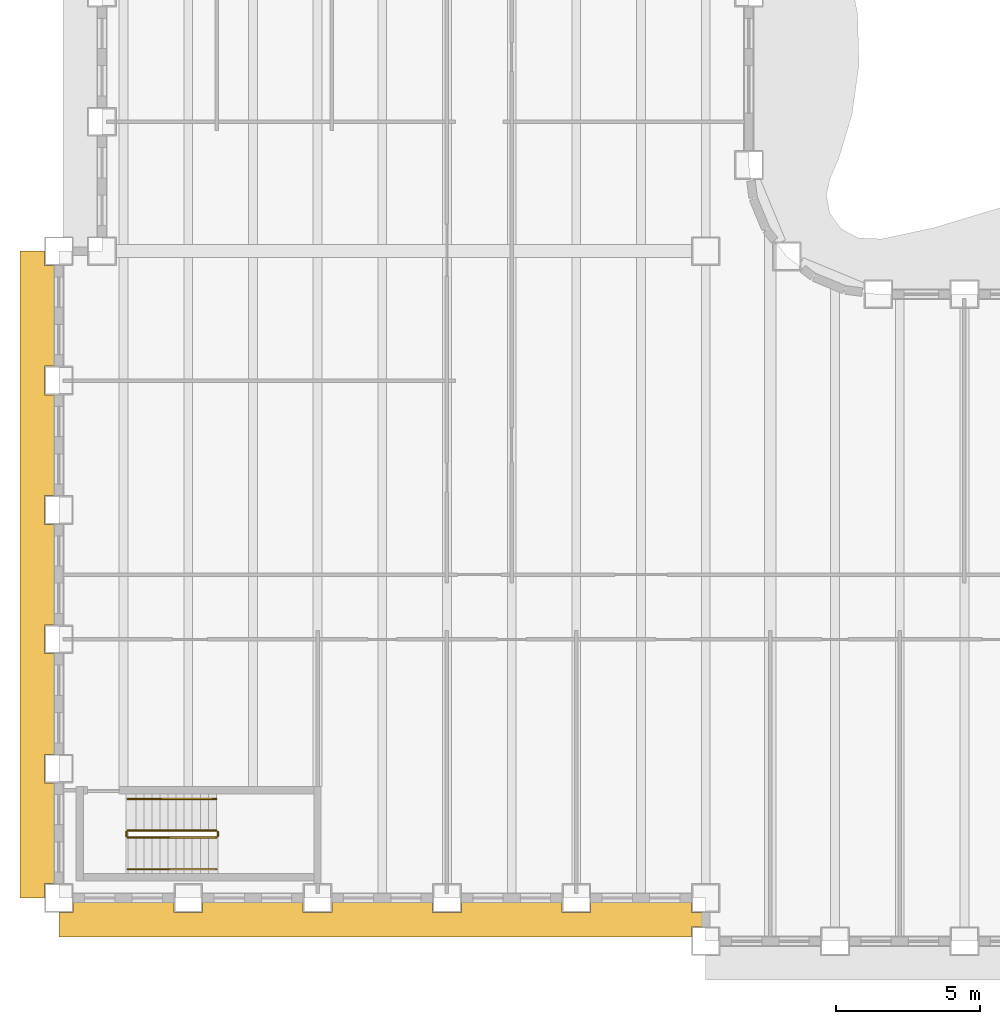
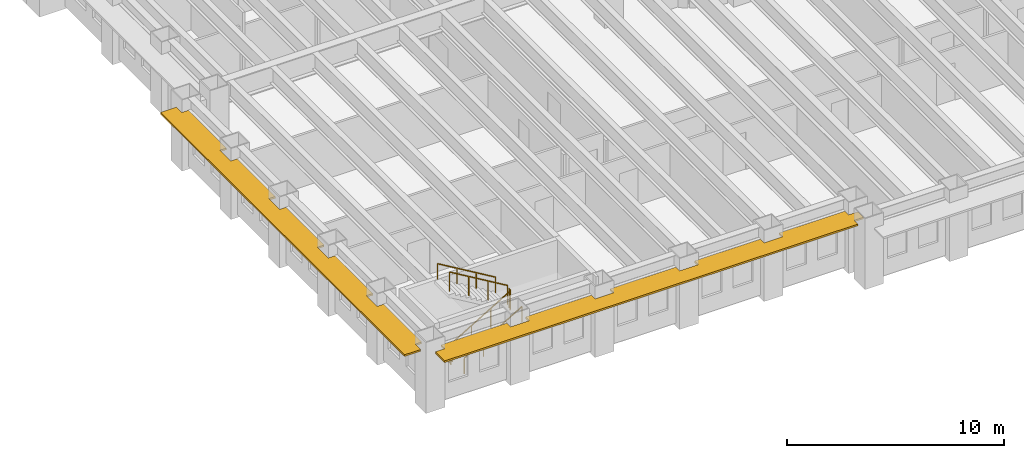
# One storey, part 11 of 16: 6 railings, 2 shading devices.
"""IFC4 building model written with IfcOpenShell, lengths in metres."""

from ifc_helpers import new_model, si_unit, direction, frame, origin, origin_2d, place, context, subcontext, project, spatial, polyline, rectangle, outline, extrude, material, layer, layer_set, type_object, element, save


model = new_model("IFC4")

# Units and contexts
model_context = context("Model", 3, precision=1e-05, world=origin(), true_north=direction((0.0, 1.0)))
body_context = subcontext(model_context, "Body", "Model", "MODEL_VIEW")
ifc_project = project(units=[si_unit("LENGTHUNIT", "METRE"), si_unit("AREAUNIT", "SQUARE_METRE"), si_unit("VOLUMEUNIT", "CUBIC_METRE"), si_unit("PLANEANGLEUNIT", "RADIAN"), si_unit("MASSUNIT", "GRAM", prefix="KILO")], contexts=[model_context])

# Site, building, storey
site_placement = place(None, origin())
site = spatial("IfcSite", under=ifc_project, at=site_placement, CompositionType="ELEMENT")
building_placement = place(site_placement, origin())
building = spatial("IfcBuilding", under=site, at=building_placement, Name="Sennacour Bend Tower", CompositionType="ELEMENT")
storey_placement = place(building_placement, frame((0.0, 0.0, 119.0)))
storey = spatial("IfcBuildingStorey", under=building, at=storey_placement, Name="L27", CompositionType="ELEMENT", Elevation=119.0)

# Railings
ifc_material_1 = material(Name="Stainless steel", Category="steel")
railing_type_1 = type_object("IfcRailingType", Name="RL-GUARD-1100", PredefinedType="GUARDRAIL", material=ifc_material_1)
railing_1_placement = place(storey_placement, frame((2.39990234375, 2.10009765625, 0.166748046875)))
element("IfcRailing", 1, at=railing_1_placement, inside=storey, type_object=railing_type_1, Name="L27 SK1 stair guard 1", PredefinedType="GUARDRAIL", context=body_context, shape_type="SweptSolid", body=[
    extrude(rectangle(XDim=0.048095703125, YDim=0.048095703125, at=origin_2d()), frame((0.0, 0.0, 1.076171875), z_axis=(0.859308565015, 0.0, 0.511457515432), x_axis=(0.0, 1.0, 0.0)), (0.0, 0.0, 1.0), 3.58447265625),
    extrude(rectangle(XDim=0.0419921875, YDim=0.0419921875, at=origin_2d()), origin(), (0.0, 0.0, 1.0), 1.052001953125),
    extrude(rectangle(XDim=0.0419921875, YDim=0.0419921875, at=origin_2d()), frame((1.026611328125, 0.0, 0.611083984375)), (0.0, 0.0, 1.0), 1.052001953125),
    extrude(rectangle(XDim=0.0419921875, YDim=0.0419921875, at=origin_2d()), frame((2.053466796875, 0.0, 1.22216796875)), (0.0, 0.0, 1.0), 1.052001953125),
    extrude(rectangle(XDim=0.0419921875, YDim=0.0419921875, at=origin_2d()), frame((3.080078125, 0.0, 1.833251953125)), (0.0, 0.0, 1.0), 1.052001953125),
])
railing_2_placement = place(storey_placement, frame((5.530029296875, 2.14990234375, 2.0)))
element("IfcRailing", 2, at=railing_2_placement, inside=storey, type_object=railing_type_1, Name="L27 SK1 stair guard 2", PredefinedType="GUARDRAIL", context=body_context, shape_type="SweptSolid", body=[
    extrude(rectangle(XDim=0.048095703125, YDim=0.048095703125, at=origin_2d()), frame((0.0, 0.0, 1.076171875), z_axis=(0.0, 1.0, 0.0), x_axis=(-1.0, 0.0, 0.0)), (0.0, 0.0, 1.0), 0.150146484375),
    extrude(rectangle(XDim=0.0419921875, YDim=0.0419921875, at=origin_2d()), origin(), (0.0, 0.0, 1.0), 1.052001953125),
    extrude(rectangle(XDim=0.0419921875, YDim=0.0419921875, at=origin_2d()), frame((0.0, 0.150146484375, 0.0)), (0.0, 0.0, 1.0), 1.052001953125),
])
railing_3_placement = place(storey_placement, frame((5.47998046875, 2.35009765625, 2.166748046875)))
element("IfcRailing", 3, at=railing_3_placement, inside=storey, type_object=railing_type_1, Name="L27 SK1 stair guard 3", PredefinedType="GUARDRAIL", context=body_context, shape_type="SweptSolid", body=[
    extrude(rectangle(XDim=0.048095703125, YDim=0.048095703125, at=origin_2d()), frame((0.0, 0.0, 1.076171875), z_axis=(-0.859308565015, 0.0, 0.511457515432), x_axis=(0.0, -1.0, 0.0)), (0.0, 0.0, 1.0), 3.58447265625),
    extrude(rectangle(XDim=0.0419921875, YDim=0.0419921875, at=origin_2d()), origin(), (0.0, 0.0, 1.0), 1.052001953125),
    extrude(rectangle(XDim=0.0419921875, YDim=0.0419921875, at=origin_2d()), frame((-1.026611328125, 0.0, 0.611083984375)), (0.0, 0.0, 1.0), 1.052001953125),
    extrude(rectangle(XDim=0.0419921875, YDim=0.0419921875, at=origin_2d()), frame((-2.053466796875, 0.0, 1.22216796875)), (0.0, 0.0, 1.0), 1.052001953125),
    extrude(rectangle(XDim=0.0419921875, YDim=0.0419921875, at=origin_2d()), frame((-3.080078125, 0.0, 1.833251953125)), (0.0, 0.0, 1.0), 1.052001953125),
])
railing_4_placement = place(storey_placement, frame((2.35009765625, 2.14990234375, 0.0)))
element("IfcRailing", 4, at=railing_4_placement, inside=storey, type_object=railing_type_1, Name="L27 SK1 stair guard 4", PredefinedType="GUARDRAIL", context=body_context, shape_type="SweptSolid", body=[
    extrude(rectangle(XDim=0.048095703125, YDim=0.048095703125, at=origin_2d()), frame((0.0, 0.0, 1.076171875), z_axis=(0.0, 1.0, 0.0), x_axis=(-1.0, 0.0, 0.0)), (0.0, 0.0, 1.0), 0.150146484375),
    extrude(rectangle(XDim=0.0419921875, YDim=0.0419921875, at=origin_2d()), origin(), (0.0, 0.0, 1.0), 1.052001953125),
    extrude(rectangle(XDim=0.0419921875, YDim=0.0419921875, at=origin_2d()), frame((0.0, 0.150146484375, 0.0)), (0.0, 0.0, 1.0), 1.052001953125),
])
railing_type_2 = type_object("IfcRailingType", Name="RL-HANDRAIL-900", PredefinedType="HANDRAIL", material=ifc_material_1)
railing_5_placement = place(storey_placement, frame((2.39990234375, 1.0, 0.166748046875)))
element("IfcRailing", 5, at=railing_5_placement, inside=storey, type_object=railing_type_2, Name="L27 SK1 stair handrail 1", PredefinedType="HANDRAIL", context=body_context, shape_type="SweptSolid", body=[
    extrude(rectangle(XDim=0.048095703125, YDim=0.048095703125, at=origin_2d()), frame((0.0, 0.0, 0.8759765625), z_axis=(0.859308565015, 0.0, 0.511457515432), x_axis=(0.0, 1.0, 0.0)), (0.0, 0.0, 1.0), 3.58447265625),
    extrude(rectangle(XDim=0.0419921875, YDim=0.0419921875, at=origin_2d()), origin(), (0.0, 0.0, 1.0), 0.851806640625),
    extrude(rectangle(XDim=0.0419921875, YDim=0.0419921875, at=origin_2d()), frame((1.026611328125, 0.0, 0.611083984375)), (0.0, 0.0, 1.0), 0.851806640625),
    extrude(rectangle(XDim=0.0419921875, YDim=0.0419921875, at=origin_2d()), frame((2.053466796875, 0.0, 1.22216796875)), (0.0, 0.0, 1.0), 0.851806640625),
    extrude(rectangle(XDim=0.0419921875, YDim=0.0419921875, at=origin_2d()), frame((3.080078125, 0.0, 1.833251953125)), (0.0, 0.0, 1.0), 0.851806640625),
])
railing_6_placement = place(storey_placement, frame((5.47998046875, 3.449951171875, 2.166748046875)))
element("IfcRailing", 6, at=railing_6_placement, inside=storey, type_object=railing_type_2, Name="L27 SK1 stair handrail 2", PredefinedType="HANDRAIL", context=body_context, shape_type="SweptSolid", body=[
    extrude(rectangle(XDim=0.048095703125, YDim=0.048095703125, at=origin_2d()), frame((0.0, 0.0, 0.8759765625), z_axis=(-0.859308565015, 0.0, 0.511457515432), x_axis=(0.0, -1.0, 0.0)), (0.0, 0.0, 1.0), 3.58447265625),
    extrude(rectangle(XDim=0.0419921875, YDim=0.0419921875, at=origin_2d()), origin(), (0.0, 0.0, 1.0), 0.851806640625),
    extrude(rectangle(XDim=0.0419921875, YDim=0.0419921875, at=origin_2d()), frame((-1.026611328125, 0.0, 0.611083984375)), (0.0, 0.0, 1.0), 0.851806640625),
    extrude(rectangle(XDim=0.0419921875, YDim=0.0419921875, at=origin_2d()), frame((-2.053466796875, 0.0, 1.22216796875)), (0.0, 0.0, 1.0), 0.851806640625),
    extrude(rectangle(XDim=0.0419921875, YDim=0.0419921875, at=origin_2d()), frame((-3.080078125, 0.0, 1.833251953125)), (0.0, 0.0, 1.0), 0.851806640625),
])

# Shading devices
ifc_material_2 = material(Name="Bronze anodised aluminium", Category="aluminium")
ifc_layer = layer(ifc_material_2, 0.10009765625, Name="Bronze anodised aluminium", Category="aluminium")
ifc_layer_set = layer_set([ifc_layer], Name="Bronze anodised aluminium")
shading_device_type = type_object("IfcShadingDeviceType", Name="SUNSHADE BAND STRAIGHT", PredefinedType="USERDEFINED", material=ifc_layer_set)
shading_device_1_placement = place(storey_placement, frame((0.0, 0.0, 3.053955078125)))
element("IfcShadingDevice", 7, at=shading_device_1_placement, inside=storey, type_object=shading_device_type, Name="Sunshade band L27 K outer face", ObjectType="SUNSHADE", PredefinedType="USERDEFINED", context=body_context, shape_type="SweptSolid", body=[
    extrude(outline(polyline([(-0.14990234375, 18.5), (-0.5, 18.5), (-0.5, 17.5), (-0.14990234375, 17.5), (-0.14990234375, 14.0), (-0.5, 14.0), (-0.5, 13.0), (-0.14990234375, 13.0), (-0.14990234375, 9.5), (-0.5, 9.5), (-0.5, 8.5), (-0.14990234375, 8.5), (-0.14990234375, 5.0), (-0.5, 5.0), (-0.5, 4.0), (-0.14990234375, 4.0), (-0.14990234375, 0.5), (-0.5, 0.5), (-0.5, 0.0), (-1.35009765625, 0.0), (-1.35009765625, 22.5), (-0.5, 22.5), (-0.5, 22.0), (-0.14990234375, 22.0), (-0.14990234375, 18.5)])), origin(), (0.0, 0.0, 1.0), 0.10009765625),
])
shading_device_2_placement = place(storey_placement, frame((0.0, 0.0, 3.053955078125)))
element("IfcShadingDevice", 8, at=shading_device_2_placement, inside=storey, type_object=shading_device_type, Name="Sunshade band L27 K outer face", ObjectType="SUNSHADE", PredefinedType="USERDEFINED", context=body_context, shape_type="SweptSolid", body=[
    extrude(outline(polyline([(4.0, -0.14990234375), (4.0, -0.5), (5.0, -0.5), (5.0, -0.14990234375), (8.5, -0.14990234375), (8.5, -0.5), (9.5, -0.5), (9.5, -0.14990234375), (13.0, -0.14990234375), (13.0, -0.5), (14.0, -0.5), (14.0, -0.14990234375), (17.5, -0.14990234375), (17.5, -0.5), (18.5, -0.5), (18.5, -0.14990234375), (22.0, -0.14990234375), (22.0, -0.5), (22.5, -0.5), (22.5, -1.0), (22.0, -1.0), (22.0, -1.35009765625), (0.0, -1.35009765625), (0.0, -0.5), (0.5, -0.5), (0.5, -0.14990234375), (4.0, -0.14990234375)])), origin(), (0.0, 0.0, 1.0), 0.10009765625),
])

save(model, "model.ifc")
